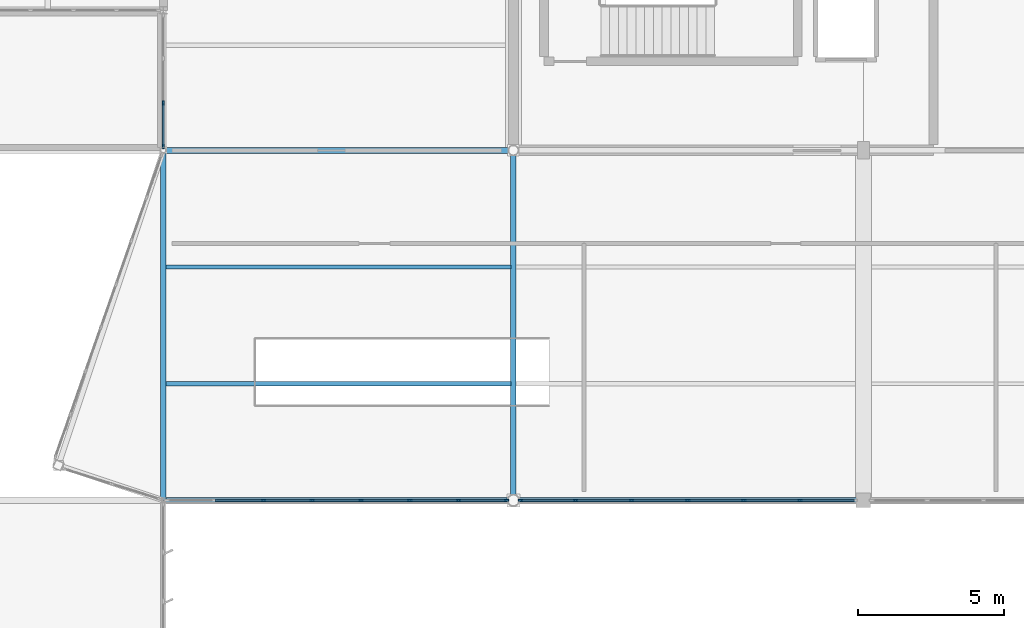
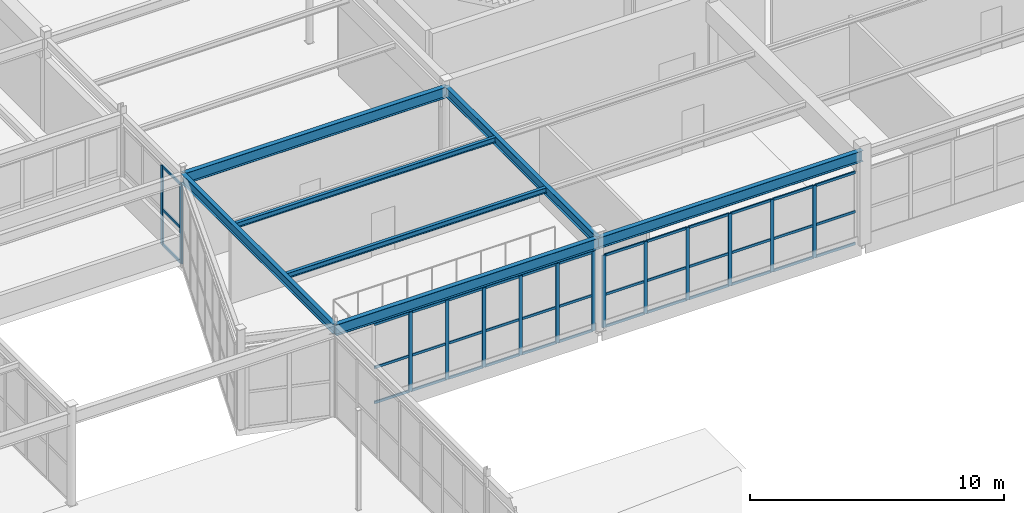
# One storey, part 122 of 226: 53 members, 7 beams, 3 elements without a shape of their own.
"""IFC4 building model written with IfcOpenShell, lengths in metres."""

from ifc_helpers import new_model, si_unit, direction, frame, origin, origin_2d, place, context, subcontext, project, spatial, rectangle, i_section, extrude, material, layer, layer_set, material_profile, profile_set, type_object, element, aggregate, save


model = new_model("IFC4")

# Units and contexts
model_context = context("Model", 3, precision=1e-05, world=origin(), true_north=direction((0.0, 1.0)))
body_context = subcontext(model_context, "Body", "Model", "MODEL_VIEW")
ifc_project = project(units=[si_unit("LENGTHUNIT", "METRE"), si_unit("AREAUNIT", "SQUARE_METRE"), si_unit("VOLUMEUNIT", "CUBIC_METRE"), si_unit("PLANEANGLEUNIT", "RADIAN"), si_unit("MASSUNIT", "GRAM", prefix="KILO")], contexts=[model_context])

# Site, building, storey
site_placement = place(None, origin())
site = spatial("IfcSite", under=ifc_project, at=site_placement, CompositionType="ELEMENT")
building_placement = place(site_placement, origin())
building = spatial("IfcBuilding", under=site, at=building_placement, Name="Tarnwether General Hospital", CompositionType="ELEMENT")
storey_placement = place(building_placement, frame((0.0, 0.0, 4.800048828125)))
storey = spatial("IfcBuildingStorey", under=building, at=storey_placement, Name="L01", CompositionType="ELEMENT", Elevation=4.800048828125)

# Beams
ifc_material_1 = material(Name="Steel Grade 350 (350 MPa)", Category="steel")
ifc_material_profile_1 = material_profile(ifc_material_1, i_section(OverallWidth=0.208984375, OverallDepth=0.532958984375, WebThickness=0.01025390625, FlangeThickness=0.015625, at=origin_2d()), Name="530UB92.4")
ifc_profile_set_1 = profile_set([ifc_material_profile_1], Name="Steel Grade 350 (350 MPa)")
beam_type_1 = type_object("IfcBeamType", Name="BM-G06", PredefinedType="BEAM", material=ifc_profile_set_1)
beam_1_placement = place(storey_placement, frame((144.0, 81.60009765625, 4.178466796875), z_axis=(1.0, 0.0, 0.0), x_axis=(0.0, 1.0, 0.0)))
element("IfcBeam", 1, at=beam_1_placement, inside=storey, type_object=beam_type_1, Name="Primary Girder BMG-L01-14400_8160-15600_8160-1222", PredefinedType="BEAM", context=body_context, shape_type="SweptSolid", body=[
    extrude(i_section(OverallWidth=0.208984375, OverallDepth=0.532958984375, WebThickness=0.01025390625, FlangeThickness=0.015625, at=origin_2d()), origin(), (0.0, 0.0, 1.0), 12.0),
])
ifc_material_2 = material(Name="Steel Grade 350 (350 MPa)", Category="steel")
ifc_material_profile_2 = material_profile(ifc_material_2, i_section(OverallWidth=0.208984375, OverallDepth=0.528076171875, WebThickness=0.009521484375, FlangeThickness=0.01318359375, at=origin_2d()), Name="530UB82.0")
ifc_profile_set_2 = profile_set([ifc_material_profile_2], Name="Steel Grade 350 (350 MPa)")
beam_type_2 = type_object("IfcBeamType", Name="BM-G07", PredefinedType="BEAM", material=ifc_profile_set_2)
for number, where, z_axis, x_axis, name in (
    (2, (144.0, 93.60009765625, 4.180908203125), (1.0, 0.0, 0.0), (0.0, 1.0, 0.0), "Primary Girder BMG-L01-14400_9360-15600_9360-1224"),
    (3, (156.0, 81.60009765625, 4.180908203125), (1.0, 0.0, 0.0), (0.0, 1.0, 0.0), "Primary Girder BMG-L01-15600_8160-16800_8160-1240"),
):
    element("IfcBeam", number, at=place(storey_placement, frame(where, z_axis=z_axis, x_axis=x_axis)), inside=storey, type_object=beam_type_2, Name=name, PredefinedType="BEAM", context=body_context, shape_type="SweptSolid", body=[
        extrude(i_section(OverallWidth=0.208984375, OverallDepth=0.528076171875, WebThickness=0.009521484375, FlangeThickness=0.01318359375, at=origin_2d()), origin(), (0.0, 0.0, 1.0), 12.0),
    ])
ifc_material_3 = material(Name="Steel Grade 350 (350 MPa)", Category="steel")
ifc_material_profile_3 = material_profile(ifc_material_3, i_section(OverallWidth=0.18994140625, OverallDepth=0.45703125, WebThickness=0.009033203125, FlangeThickness=0.014404296875, at=origin_2d()), Name="460UB74.6")
ifc_profile_set_3 = profile_set([ifc_material_profile_3], Name="Steel Grade 350 (350 MPa)")
beam_type_3 = type_object("IfcBeamType", Name="BM-G09", PredefinedType="BEAM", material=ifc_profile_set_3)
beam_2_placement = place(storey_placement, frame((144.0, 81.60009765625, 4.216552734375), z_axis=(0.0, 1.0, 0.0), x_axis=(-1.0, 0.0, 0.0)))
element("IfcBeam", 4, at=beam_2_placement, inside=storey, type_object=beam_type_3, Name="Primary Girder BMG-L01-14400_8160-14400_9360-1223", PredefinedType="BEAM", context=body_context, shape_type="SweptSolid", body=[
    extrude(i_section(OverallWidth=0.18994140625, OverallDepth=0.45703125, WebThickness=0.009033203125, FlangeThickness=0.014404296875, at=origin_2d()), origin(), (0.0, 0.0, 1.0), 12.0),
])
ifc_material_4 = material(Name="Steel Grade 350 (350 MPa)", Category="steel")
ifc_material_profile_4 = material_profile(ifc_material_4, i_section(OverallWidth=0.18994140625, OverallDepth=0.4541015625, WebThickness=0.008544921875, FlangeThickness=0.0126953125, at=origin_2d()), Name="460UB67.1")
ifc_profile_set_4 = profile_set([ifc_material_profile_4], Name="Steel Grade 350 (350 MPa)")
beam_type_4 = type_object("IfcBeamType", Name="BM-G10", PredefinedType="BEAM", material=ifc_profile_set_4)
beam_3_placement = place(storey_placement, frame((156.0, 81.60009765625, 4.218017578125), z_axis=(0.0, 1.0, 0.0), x_axis=(-1.0, 0.0, 0.0)))
element("IfcBeam", 5, at=beam_3_placement, inside=storey, type_object=beam_type_4, Name="Primary Girder BMG-L01-15600_8160-15600_9360-1241", PredefinedType="BEAM", context=body_context, shape_type="SweptSolid", body=[
    extrude(i_section(OverallWidth=0.18994140625, OverallDepth=0.4541015625, WebThickness=0.008544921875, FlangeThickness=0.0126953125, at=origin_2d()), origin(), (0.0, 0.0, 1.0), 12.0),
])
ifc_material_5 = material(Name="Steel Grade 350 (350 MPa)", Category="steel")
ifc_material_profile_5 = material_profile(ifc_material_5, i_section(OverallWidth=0.14599609375, OverallDepth=0.256103515625, WebThickness=0.00634765625, FlangeThickness=0.010986328125, at=origin_2d()), Name="250UB37.3")
ifc_profile_set_5 = profile_set([ifc_material_profile_5], Name="Steel Grade 350 (350 MPa)")
beam_type_5 = type_object("IfcBeamType", Name="BM-J09", PredefinedType="JOIST", material=ifc_profile_set_5)
beam_4_placement = place(storey_placement, frame((144.089111328125, 85.60009765625, 4.31689453125), z_axis=(1.0, 0.0, 0.0), x_axis=(0.0, 1.0, 0.0)))
element("IfcBeam", 6, at=beam_4_placement, inside=storey, type_object=beam_type_5, Name="Composite Floor Joist BMG-L01-14409_8560-15591_8560-1393", PredefinedType="JOIST", context=body_context, shape_type="SweptSolid", body=[
    extrude(i_section(OverallWidth=0.14599609375, OverallDepth=0.256103515625, WebThickness=0.00634765625, FlangeThickness=0.010986328125, at=origin_2d()), origin(), (0.0, 0.0, 1.0), 11.82177734375),
])
ifc_material_6 = material(Name="Steel Grade 350 (350 MPa)", Category="steel")
ifc_material_profile_6 = material_profile(ifc_material_6, i_section(OverallWidth=0.14599609375, OverallDepth=0.251953125, WebThickness=0.006103515625, FlangeThickness=0.008544921875, at=origin_2d()), Name="250UB31.4")
ifc_profile_set_6 = profile_set([ifc_material_profile_6], Name="Steel Grade 350 (350 MPa)")
beam_type_6 = type_object("IfcBeamType", Name="BM-J10", PredefinedType="JOIST", material=ifc_profile_set_6)
beam_5_placement = place(storey_placement, frame((144.089111328125, 89.60009765625, 4.31884765625), z_axis=(1.0, 0.0, 0.0), x_axis=(0.0, 1.0, 0.0)))
element("IfcBeam", 7, at=beam_5_placement, inside=storey, type_object=beam_type_6, Name="Composite Floor Joist BMG-L01-14409_8960-15591_8960-1394", PredefinedType="JOIST", context=body_context, shape_type="SweptSolid", body=[
    extrude(i_section(OverallWidth=0.14599609375, OverallDepth=0.251953125, WebThickness=0.006103515625, FlangeThickness=0.008544921875, at=origin_2d()), origin(), (0.0, 0.0, 1.0), 11.82177734375),
])

# Curtain wall, members
ifc_material_7 = material(Name="Anodised aluminium", Category="aluminium")
ifc_layer_1 = layer(ifc_material_7, 0.159912109375)
ifc_layer_set_1 = layer_set([ifc_layer_1], Name="Anodised aluminium")
curtain_wall_type_1 = type_object("IfcCurtainWallType", Name="CW-15", PredefinedType="NOTDEFINED", material=ifc_layer_set_1)
curtain_wall_1_placement = place(storey_placement, origin())
curtain_wall_1 = element("IfcCurtainWall", 8, at=curtain_wall_1_placement, inside=storey, type_object=curtain_wall_type_1, Name="Curtain Wall CWG-L01-1440_937-0374", PredefinedType="NOTDEFINED")
ifc_material_8 = material(Name="Anodised aluminium", Category="aluminium")
ifc_material_profile_7 = material_profile(ifc_material_8, rectangle(XDim=0.06005859375, YDim=0.159912109375, at=origin_2d()), Name="ALU-MUL-60x160")
ifc_profile_set_7 = profile_set([ifc_material_profile_7], Name="Anodised aluminium")
member_type_1 = type_object("IfcMemberType", Name="CW-ML1", PredefinedType="MULLION", material=ifc_profile_set_7)
member_1_placement = place(storey_placement, frame((144.0, 93.735107421875, 0.0), z_axis=(0.0, 0.0, 1.0), x_axis=(-1.0, 0.0, 0.0)))
member_1 = element("IfcMember", 9, at=member_1_placement, type_object=member_type_1, Name="CW-15 mullion 1", PredefinedType="MULLION", context=body_context, shape_type="SweptSolid", body=[
    extrude(rectangle(XDim=0.06005859375, YDim=0.159912109375, at=origin_2d()), origin(), (0.0, 0.0, 1.0), 3.81787109375),
])
member_2_placement = place(storey_placement, frame((144.0, 95.22509765625, 0.0), z_axis=(0.0, 0.0, 1.0), x_axis=(-1.0, 0.0, 0.0)))
member_2 = element("IfcMember", 10, at=member_2_placement, type_object=member_type_1, Name="CW-15 mullion 2", PredefinedType="MULLION", context=body_context, shape_type="SweptSolid", body=[
    extrude(rectangle(XDim=0.06005859375, YDim=0.159912109375, at=origin_2d()), origin(), (0.0, 0.0, 1.0), 3.81787109375),
])

ifc_material_9 = material(Name="Anodised aluminium", Category="aluminium")
ifc_layer_2 = layer(ifc_material_9, 0.159912109375)
ifc_layer_set_2 = layer_set([ifc_layer_2], Name="Anodised aluminium")
curtain_wall_type_2 = type_object("IfcCurtainWallType", Name="CW-17", PredefinedType="NOTDEFINED", material=ifc_layer_set_2)
curtain_wall_2_placement = place(storey_placement, origin())
curtain_wall_2 = element("IfcCurtainWall", 11, at=curtain_wall_2_placement, inside=storey, type_object=curtain_wall_type_2, Name="Curtain Wall CWG-L01-1677_816-0395", PredefinedType="NOTDEFINED")
member_3_placement = place(storey_placement, frame((165.820068359375, 81.60009765625, 0.0), z_axis=(0.0, 0.0, 1.0), x_axis=(0.0, -1.0, 0.0)))
member_3 = element("IfcMember", 12, at=member_3_placement, type_object=member_type_1, Name="CW-17 mullion 2", PredefinedType="MULLION", context=body_context, shape_type="SweptSolid", body=[
    extrude(rectangle(XDim=0.06005859375, YDim=0.159912109375, at=origin_2d()), origin(), (0.0, 0.0, 1.0), 3.47998046875),
])
member_4_placement = place(storey_placement, frame((163.8984375, 81.60009765625, 0.0), z_axis=(0.0, 0.0, 1.0), x_axis=(0.0, -1.0, 0.0)))
member_4 = element("IfcMember", 13, at=member_4_placement, type_object=member_type_1, Name="CW-17 mullion 3", PredefinedType="MULLION", context=body_context, shape_type="SweptSolid", body=[
    extrude(rectangle(XDim=0.06005859375, YDim=0.159912109375, at=origin_2d()), origin(), (0.0, 0.0, 1.0), 3.47998046875),
])
member_5_placement = place(storey_placement, frame((161.9765625, 81.60009765625, 0.0), z_axis=(0.0, 0.0, 1.0), x_axis=(0.0, -1.0, 0.0)))
member_5 = element("IfcMember", 14, at=member_5_placement, type_object=member_type_1, Name="CW-17 mullion 4", PredefinedType="MULLION", context=body_context, shape_type="SweptSolid", body=[
    extrude(rectangle(XDim=0.06005859375, YDim=0.159912109375, at=origin_2d()), origin(), (0.0, 0.0, 1.0), 3.47998046875),
])
member_6_placement = place(storey_placement, frame((160.0546875, 81.60009765625, 0.0), z_axis=(0.0, 0.0, 1.0), x_axis=(0.0, -1.0, 0.0)))
member_6 = element("IfcMember", 15, at=member_6_placement, type_object=member_type_1, Name="CW-17 mullion 5", PredefinedType="MULLION", context=body_context, shape_type="SweptSolid", body=[
    extrude(rectangle(XDim=0.06005859375, YDim=0.159912109375, at=origin_2d()), origin(), (0.0, 0.0, 1.0), 3.47998046875),
])
member_7_placement = place(storey_placement, frame((158.1328125, 81.60009765625, 0.0), z_axis=(0.0, 0.0, 1.0), x_axis=(0.0, -1.0, 0.0)))
member_7 = element("IfcMember", 16, at=member_7_placement, type_object=member_type_1, Name="CW-17 mullion 6", PredefinedType="MULLION", context=body_context, shape_type="SweptSolid", body=[
    extrude(rectangle(XDim=0.06005859375, YDim=0.159912109375, at=origin_2d()), origin(), (0.0, 0.0, 1.0), 3.47998046875),
])
member_8_placement = place(storey_placement, frame((156.240966796875, 81.60009765625, 0.0), z_axis=(0.0, 0.0, 1.0), x_axis=(0.0, -1.0, 0.0)))
member_8 = element("IfcMember", 17, at=member_8_placement, type_object=member_type_1, Name="CW-17 mullion 7", PredefinedType="MULLION", context=body_context, shape_type="SweptSolid", body=[
    extrude(rectangle(XDim=0.06005859375, YDim=0.159912109375, at=origin_2d()), origin(), (0.0, 0.0, 1.0), 3.47998046875),
])

curtain_wall_3_placement = place(storey_placement, origin())
curtain_wall_3 = element("IfcCurtainWall", 18, at=curtain_wall_3_placement, inside=storey, type_object=curtain_wall_type_2, Name="Curtain Wall CWG-L01-1558_816-0396", PredefinedType="NOTDEFINED")
member_9_placement = place(storey_placement, frame((155.759033203125, 81.60009765625, 0.0), z_axis=(0.0, 0.0, 1.0), x_axis=(0.0, -1.0, 0.0)))
member_9 = element("IfcMember", 19, at=member_9_placement, type_object=member_type_1, Name="CW-17 mullion 1", PredefinedType="MULLION", context=body_context, shape_type="SweptSolid", body=[
    extrude(rectangle(XDim=0.06005859375, YDim=0.159912109375, at=origin_2d()), origin(), (0.0, 0.0, 1.0), 3.827880859375),
])
member_10_placement = place(storey_placement, frame((154.116943359375, 81.60009765625, 0.0), z_axis=(0.0, 0.0, 1.0), x_axis=(0.0, -1.0, 0.0)))
member_10 = element("IfcMember", 20, at=member_10_placement, type_object=member_type_1, Name="CW-17 mullion 2", PredefinedType="MULLION", context=body_context, shape_type="SweptSolid", body=[
    extrude(rectangle(XDim=0.06005859375, YDim=0.159912109375, at=origin_2d()), origin(), (0.0, 0.0, 1.0), 3.827880859375),
])
member_11_placement = place(storey_placement, frame((152.445068359375, 81.60009765625, 0.0), z_axis=(0.0, 0.0, 1.0), x_axis=(0.0, -1.0, 0.0)))
member_11 = element("IfcMember", 21, at=member_11_placement, type_object=member_type_1, Name="CW-17 mullion 3", PredefinedType="MULLION", context=body_context, shape_type="SweptSolid", body=[
    extrude(rectangle(XDim=0.06005859375, YDim=0.159912109375, at=origin_2d()), origin(), (0.0, 0.0, 1.0), 3.827880859375),
])
member_12_placement = place(storey_placement, frame((150.77294921875, 81.60009765625, 0.0), z_axis=(0.0, 0.0, 1.0), x_axis=(0.0, -1.0, 0.0)))
member_12 = element("IfcMember", 22, at=member_12_placement, type_object=member_type_1, Name="CW-17 mullion 4", PredefinedType="MULLION", context=body_context, shape_type="SweptSolid", body=[
    extrude(rectangle(XDim=0.06005859375, YDim=0.159912109375, at=origin_2d()), origin(), (0.0, 0.0, 1.0), 3.827880859375),
])
member_13_placement = place(storey_placement, frame((149.10107421875, 81.60009765625, 0.0), z_axis=(0.0, 0.0, 1.0), x_axis=(0.0, -1.0, 0.0)))
member_13 = element("IfcMember", 23, at=member_13_placement, type_object=member_type_1, Name="CW-17 mullion 5", PredefinedType="MULLION", context=body_context, shape_type="SweptSolid", body=[
    extrude(rectangle(XDim=0.06005859375, YDim=0.159912109375, at=origin_2d()), origin(), (0.0, 0.0, 1.0), 3.827880859375),
])
member_14_placement = place(storey_placement, frame((147.428955078125, 81.60009765625, 0.0), z_axis=(0.0, 0.0, 1.0), x_axis=(0.0, -1.0, 0.0)))
member_14 = element("IfcMember", 24, at=member_14_placement, type_object=member_type_1, Name="CW-17 mullion 6", PredefinedType="MULLION", context=body_context, shape_type="SweptSolid", body=[
    extrude(rectangle(XDim=0.06005859375, YDim=0.159912109375, at=origin_2d()), origin(), (0.0, 0.0, 1.0), 3.827880859375),
])

# Member
ifc_material_10 = material(Name="Anodised aluminium", Category="aluminium")
ifc_material_profile_8 = material_profile(ifc_material_10, rectangle(XDim=0.06005859375, YDim=0.1201171875, at=origin_2d()), Name="ALU-TRN-60x120")
ifc_profile_set_8 = profile_set([ifc_material_profile_8], Name="Anodised aluminium")
member_type_2 = type_object("IfcMemberType", Name="CW-TR1", PredefinedType="USERDEFINED", material=ifc_profile_set_8)
member_15_placement = place(storey_placement, frame((144.0, 93.764892578125, 0.030029296875), z_axis=(0.0, 1.0, 0.0), x_axis=(-1.0, 0.0, 0.0)))
member_15 = element("IfcMember", 25, at=member_15_placement, type_object=member_type_2, Name="CW-15 transom 1.1", ObjectType="TRANSOM", PredefinedType="USERDEFINED", context=body_context, shape_type="SweptSolid", body=[
    extrude(rectangle(XDim=0.06005859375, YDim=0.1201171875, at=origin_2d()), origin(), (0.0, 0.0, 1.0), 1.43017578125),
])

member_16_placement = place(storey_placement, frame((144.0, 93.764892578125, 1.718017578125), z_axis=(0.0, 1.0, 0.0), x_axis=(-1.0, 0.0, 0.0)))
member_16 = element("IfcMember", 26, at=member_16_placement, type_object=member_type_2, Name="CW-15 transom 1.2", ObjectType="TRANSOM", PredefinedType="USERDEFINED", context=body_context, shape_type="SweptSolid", body=[
    extrude(rectangle(XDim=0.06005859375, YDim=0.1201171875, at=origin_2d()), origin(), (0.0, 0.0, 1.0), 1.43017578125),
])

member_17_placement = place(storey_placement, frame((144.0, 93.764892578125, 3.787841796875), z_axis=(0.0, 1.0, 0.0), x_axis=(-1.0, 0.0, 0.0)))
member_17 = element("IfcMember", 27, at=member_17_placement, type_object=member_type_2, Name="CW-15 transom 1.3", ObjectType="TRANSOM", PredefinedType="USERDEFINED", context=body_context, shape_type="SweptSolid", body=[
    extrude(rectangle(XDim=0.06005859375, YDim=0.1201171875, at=origin_2d()), origin(), (0.0, 0.0, 1.0), 1.43017578125),
])

aggregate(curtain_wall_1, [member_1, member_2, member_15, member_16, member_17])

member_18_placement = place(storey_placement, frame((167.681884765625, 81.60009765625, 0.030029296875), z_axis=(-1.0, 0.0, 0.0), x_axis=(0.0, -1.0, 0.0)))
member_18 = element("IfcMember", 28, at=member_18_placement, type_object=member_type_2, Name="CW-17 transom 1.1", ObjectType="TRANSOM", PredefinedType="USERDEFINED", context=body_context, shape_type="SweptSolid", body=[
    extrude(rectangle(XDim=0.06005859375, YDim=0.1201171875, at=origin_2d()), origin(), (0.0, 0.0, 1.0), 1.831787109375),
])

member_19_placement = place(storey_placement, frame((167.681884765625, 81.60009765625, 1.56591796875), z_axis=(-1.0, 0.0, 0.0), x_axis=(0.0, -1.0, 0.0)))
member_19 = element("IfcMember", 29, at=member_19_placement, type_object=member_type_2, Name="CW-17 transom 1.2", ObjectType="TRANSOM", PredefinedType="USERDEFINED", context=body_context, shape_type="SweptSolid", body=[
    extrude(rectangle(XDim=0.06005859375, YDim=0.1201171875, at=origin_2d()), origin(), (0.0, 0.0, 1.0), 1.831787109375),
])

member_20_placement = place(storey_placement, frame((167.681884765625, 81.60009765625, 3.449951171875), z_axis=(-1.0, 0.0, 0.0), x_axis=(0.0, -1.0, 0.0)))
member_20 = element("IfcMember", 30, at=member_20_placement, type_object=member_type_2, Name="CW-17 transom 1.3", ObjectType="TRANSOM", PredefinedType="USERDEFINED", context=body_context, shape_type="SweptSolid", body=[
    extrude(rectangle(XDim=0.06005859375, YDim=0.1201171875, at=origin_2d()), origin(), (0.0, 0.0, 1.0), 1.831787109375),
])

member_21_placement = place(storey_placement, frame((165.790283203125, 81.60009765625, 0.030029296875), z_axis=(-1.0, 0.0, 0.0), x_axis=(0.0, -1.0, 0.0)))
member_21 = element("IfcMember", 31, at=member_21_placement, type_object=member_type_2, Name="CW-17 transom 2.1", ObjectType="TRANSOM", PredefinedType="USERDEFINED", context=body_context, shape_type="SweptSolid", body=[
    extrude(rectangle(XDim=0.06005859375, YDim=0.1201171875, at=origin_2d()), origin(), (0.0, 0.0, 1.0), 1.862060546875),
])

member_22_placement = place(storey_placement, frame((165.790283203125, 81.60009765625, 1.56591796875), z_axis=(-1.0, 0.0, 0.0), x_axis=(0.0, -1.0, 0.0)))
member_22 = element("IfcMember", 32, at=member_22_placement, type_object=member_type_2, Name="CW-17 transom 2.2", ObjectType="TRANSOM", PredefinedType="USERDEFINED", context=body_context, shape_type="SweptSolid", body=[
    extrude(rectangle(XDim=0.06005859375, YDim=0.1201171875, at=origin_2d()), origin(), (0.0, 0.0, 1.0), 1.862060546875),
])

member_23_placement = place(storey_placement, frame((165.790283203125, 81.60009765625, 3.449951171875), z_axis=(-1.0, 0.0, 0.0), x_axis=(0.0, -1.0, 0.0)))
member_23 = element("IfcMember", 33, at=member_23_placement, type_object=member_type_2, Name="CW-17 transom 2.3", ObjectType="TRANSOM", PredefinedType="USERDEFINED", context=body_context, shape_type="SweptSolid", body=[
    extrude(rectangle(XDim=0.06005859375, YDim=0.1201171875, at=origin_2d()), origin(), (0.0, 0.0, 1.0), 1.862060546875),
])

member_24_placement = place(storey_placement, frame((163.868408203125, 81.60009765625, 0.030029296875), z_axis=(-1.0, 0.0, 0.0), x_axis=(0.0, -1.0, 0.0)))
member_24 = element("IfcMember", 34, at=member_24_placement, type_object=member_type_2, Name="CW-17 transom 3.1", ObjectType="TRANSOM", PredefinedType="USERDEFINED", context=body_context, shape_type="SweptSolid", body=[
    extrude(rectangle(XDim=0.06005859375, YDim=0.1201171875, at=origin_2d()), origin(), (0.0, 0.0, 1.0), 1.86181640625),
])

member_25_placement = place(storey_placement, frame((163.868408203125, 81.60009765625, 1.56591796875), z_axis=(-1.0, 0.0, 0.0), x_axis=(0.0, -1.0, 0.0)))
member_25 = element("IfcMember", 35, at=member_25_placement, type_object=member_type_2, Name="CW-17 transom 3.2", ObjectType="TRANSOM", PredefinedType="USERDEFINED", context=body_context, shape_type="SweptSolid", body=[
    extrude(rectangle(XDim=0.06005859375, YDim=0.1201171875, at=origin_2d()), origin(), (0.0, 0.0, 1.0), 1.86181640625),
])

member_26_placement = place(storey_placement, frame((163.868408203125, 81.60009765625, 3.449951171875), z_axis=(-1.0, 0.0, 0.0), x_axis=(0.0, -1.0, 0.0)))
member_26 = element("IfcMember", 36, at=member_26_placement, type_object=member_type_2, Name="CW-17 transom 3.3", ObjectType="TRANSOM", PredefinedType="USERDEFINED", context=body_context, shape_type="SweptSolid", body=[
    extrude(rectangle(XDim=0.06005859375, YDim=0.1201171875, at=origin_2d()), origin(), (0.0, 0.0, 1.0), 1.86181640625),
])

member_27_placement = place(storey_placement, frame((161.946533203125, 81.60009765625, 0.030029296875), z_axis=(-1.0, 0.0, 0.0), x_axis=(0.0, -1.0, 0.0)))
member_27 = element("IfcMember", 37, at=member_27_placement, type_object=member_type_2, Name="CW-17 transom 4.1", ObjectType="TRANSOM", PredefinedType="USERDEFINED", context=body_context, shape_type="SweptSolid", body=[
    extrude(rectangle(XDim=0.06005859375, YDim=0.1201171875, at=origin_2d()), origin(), (0.0, 0.0, 1.0), 1.86181640625),
])

member_28_placement = place(storey_placement, frame((161.946533203125, 81.60009765625, 1.56591796875), z_axis=(-1.0, 0.0, 0.0), x_axis=(0.0, -1.0, 0.0)))
member_28 = element("IfcMember", 38, at=member_28_placement, type_object=member_type_2, Name="CW-17 transom 4.2", ObjectType="TRANSOM", PredefinedType="USERDEFINED", context=body_context, shape_type="SweptSolid", body=[
    extrude(rectangle(XDim=0.06005859375, YDim=0.1201171875, at=origin_2d()), origin(), (0.0, 0.0, 1.0), 1.86181640625),
])

member_29_placement = place(storey_placement, frame((161.946533203125, 81.60009765625, 3.449951171875), z_axis=(-1.0, 0.0, 0.0), x_axis=(0.0, -1.0, 0.0)))
member_29 = element("IfcMember", 39, at=member_29_placement, type_object=member_type_2, Name="CW-17 transom 4.3", ObjectType="TRANSOM", PredefinedType="USERDEFINED", context=body_context, shape_type="SweptSolid", body=[
    extrude(rectangle(XDim=0.06005859375, YDim=0.1201171875, at=origin_2d()), origin(), (0.0, 0.0, 1.0), 1.86181640625),
])

member_30_placement = place(storey_placement, frame((160.024658203125, 81.60009765625, 0.030029296875), z_axis=(-1.0, 0.0, 0.0), x_axis=(0.0, -1.0, 0.0)))
member_30 = element("IfcMember", 40, at=member_30_placement, type_object=member_type_2, Name="CW-17 transom 5.1", ObjectType="TRANSOM", PredefinedType="USERDEFINED", context=body_context, shape_type="SweptSolid", body=[
    extrude(rectangle(XDim=0.06005859375, YDim=0.1201171875, at=origin_2d()), origin(), (0.0, 0.0, 1.0), 1.86181640625),
])

member_31_placement = place(storey_placement, frame((160.024658203125, 81.60009765625, 1.56591796875), z_axis=(-1.0, 0.0, 0.0), x_axis=(0.0, -1.0, 0.0)))
member_31 = element("IfcMember", 41, at=member_31_placement, type_object=member_type_2, Name="CW-17 transom 5.2", ObjectType="TRANSOM", PredefinedType="USERDEFINED", context=body_context, shape_type="SweptSolid", body=[
    extrude(rectangle(XDim=0.06005859375, YDim=0.1201171875, at=origin_2d()), origin(), (0.0, 0.0, 1.0), 1.86181640625),
])

member_32_placement = place(storey_placement, frame((160.024658203125, 81.60009765625, 3.449951171875), z_axis=(-1.0, 0.0, 0.0), x_axis=(0.0, -1.0, 0.0)))
member_32 = element("IfcMember", 42, at=member_32_placement, type_object=member_type_2, Name="CW-17 transom 5.3", ObjectType="TRANSOM", PredefinedType="USERDEFINED", context=body_context, shape_type="SweptSolid", body=[
    extrude(rectangle(XDim=0.06005859375, YDim=0.1201171875, at=origin_2d()), origin(), (0.0, 0.0, 1.0), 1.86181640625),
])

member_33_placement = place(storey_placement, frame((158.102783203125, 81.60009765625, 0.030029296875), z_axis=(-1.0, 0.0, 0.0), x_axis=(0.0, -1.0, 0.0)))
member_33 = element("IfcMember", 43, at=member_33_placement, type_object=member_type_2, Name="CW-17 transom 6.1", ObjectType="TRANSOM", PredefinedType="USERDEFINED", context=body_context, shape_type="SweptSolid", body=[
    extrude(rectangle(XDim=0.06005859375, YDim=0.1201171875, at=origin_2d()), origin(), (0.0, 0.0, 1.0), 1.831787109375),
])

member_34_placement = place(storey_placement, frame((158.102783203125, 81.60009765625, 1.56591796875), z_axis=(-1.0, 0.0, 0.0), x_axis=(0.0, -1.0, 0.0)))
member_34 = element("IfcMember", 44, at=member_34_placement, type_object=member_type_2, Name="CW-17 transom 6.2", ObjectType="TRANSOM", PredefinedType="USERDEFINED", context=body_context, shape_type="SweptSolid", body=[
    extrude(rectangle(XDim=0.06005859375, YDim=0.1201171875, at=origin_2d()), origin(), (0.0, 0.0, 1.0), 1.831787109375),
])

member_35_placement = place(storey_placement, frame((158.102783203125, 81.60009765625, 3.449951171875), z_axis=(-1.0, 0.0, 0.0), x_axis=(0.0, -1.0, 0.0)))
member_35 = element("IfcMember", 45, at=member_35_placement, type_object=member_type_2, Name="CW-17 transom 6.3", ObjectType="TRANSOM", PredefinedType="USERDEFINED", context=body_context, shape_type="SweptSolid", body=[
    extrude(rectangle(XDim=0.06005859375, YDim=0.1201171875, at=origin_2d()), origin(), (0.0, 0.0, 1.0), 1.831787109375),
])

aggregate(curtain_wall_2, [member_3, member_4, member_5, member_6, member_7, member_8, member_18, member_19, member_20, member_21, member_22, member_23, member_24, member_25, member_26, member_27, member_28, member_29, member_30, member_31, member_32, member_33, member_34, member_35])

member_36_placement = place(storey_placement, frame((155.72900390625, 81.60009765625, 0.030029296875), z_axis=(-1.0, 0.0, 0.0), x_axis=(0.0, -1.0, 0.0)))
member_36 = element("IfcMember", 46, at=member_36_placement, type_object=member_type_2, Name="CW-17 transom 1.1", ObjectType="TRANSOM", PredefinedType="USERDEFINED", context=body_context, shape_type="SweptSolid", body=[
    extrude(rectangle(XDim=0.06005859375, YDim=0.1201171875, at=origin_2d()), origin(), (0.0, 0.0, 1.0), 1.58203125),
])

member_37_placement = place(storey_placement, frame((155.72900390625, 81.60009765625, 1.72265625), z_axis=(-1.0, 0.0, 0.0), x_axis=(0.0, -1.0, 0.0)))
member_37 = element("IfcMember", 47, at=member_37_placement, type_object=member_type_2, Name="CW-17 transom 1.2", ObjectType="TRANSOM", PredefinedType="USERDEFINED", context=body_context, shape_type="SweptSolid", body=[
    extrude(rectangle(XDim=0.06005859375, YDim=0.1201171875, at=origin_2d()), origin(), (0.0, 0.0, 1.0), 1.58203125),
])

member_38_placement = place(storey_placement, frame((155.72900390625, 81.60009765625, 3.7978515625), z_axis=(-1.0, 0.0, 0.0), x_axis=(0.0, -1.0, 0.0)))
member_38 = element("IfcMember", 48, at=member_38_placement, type_object=member_type_2, Name="CW-17 transom 1.3", ObjectType="TRANSOM", PredefinedType="USERDEFINED", context=body_context, shape_type="SweptSolid", body=[
    extrude(rectangle(XDim=0.06005859375, YDim=0.1201171875, at=origin_2d()), origin(), (0.0, 0.0, 1.0), 1.58203125),
])

member_39_placement = place(storey_placement, frame((154.0869140625, 81.60009765625, 0.030029296875), z_axis=(-1.0, 0.0, 0.0), x_axis=(0.0, -1.0, 0.0)))
member_39 = element("IfcMember", 49, at=member_39_placement, type_object=member_type_2, Name="CW-17 transom 2.1", ObjectType="TRANSOM", PredefinedType="USERDEFINED", context=body_context, shape_type="SweptSolid", body=[
    extrude(rectangle(XDim=0.06005859375, YDim=0.1201171875, at=origin_2d()), origin(), (0.0, 0.0, 1.0), 1.61181640625),
])

member_40_placement = place(storey_placement, frame((154.0869140625, 81.60009765625, 1.72265625), z_axis=(-1.0, 0.0, 0.0), x_axis=(0.0, -1.0, 0.0)))
member_40 = element("IfcMember", 50, at=member_40_placement, type_object=member_type_2, Name="CW-17 transom 2.2", ObjectType="TRANSOM", PredefinedType="USERDEFINED", context=body_context, shape_type="SweptSolid", body=[
    extrude(rectangle(XDim=0.06005859375, YDim=0.1201171875, at=origin_2d()), origin(), (0.0, 0.0, 1.0), 1.61181640625),
])

member_41_placement = place(storey_placement, frame((154.0869140625, 81.60009765625, 3.7978515625), z_axis=(-1.0, 0.0, 0.0), x_axis=(0.0, -1.0, 0.0)))
member_41 = element("IfcMember", 51, at=member_41_placement, type_object=member_type_2, Name="CW-17 transom 2.3", ObjectType="TRANSOM", PredefinedType="USERDEFINED", context=body_context, shape_type="SweptSolid", body=[
    extrude(rectangle(XDim=0.06005859375, YDim=0.1201171875, at=origin_2d()), origin(), (0.0, 0.0, 1.0), 1.61181640625),
])

member_42_placement = place(storey_placement, frame((152.4150390625, 81.60009765625, 0.030029296875), z_axis=(-1.0, 0.0, 0.0), x_axis=(0.0, -1.0, 0.0)))
member_42 = element("IfcMember", 52, at=member_42_placement, type_object=member_type_2, Name="CW-17 transom 3.1", ObjectType="TRANSOM", PredefinedType="USERDEFINED", context=body_context, shape_type="SweptSolid", body=[
    extrude(rectangle(XDim=0.06005859375, YDim=0.1201171875, at=origin_2d()), origin(), (0.0, 0.0, 1.0), 1.612060546875),
])

member_43_placement = place(storey_placement, frame((152.4150390625, 81.60009765625, 1.72265625), z_axis=(-1.0, 0.0, 0.0), x_axis=(0.0, -1.0, 0.0)))
member_43 = element("IfcMember", 53, at=member_43_placement, type_object=member_type_2, Name="CW-17 transom 3.2", ObjectType="TRANSOM", PredefinedType="USERDEFINED", context=body_context, shape_type="SweptSolid", body=[
    extrude(rectangle(XDim=0.06005859375, YDim=0.1201171875, at=origin_2d()), origin(), (0.0, 0.0, 1.0), 1.612060546875),
])

member_44_placement = place(storey_placement, frame((152.4150390625, 81.60009765625, 3.7978515625), z_axis=(-1.0, 0.0, 0.0), x_axis=(0.0, -1.0, 0.0)))
member_44 = element("IfcMember", 54, at=member_44_placement, type_object=member_type_2, Name="CW-17 transom 3.3", ObjectType="TRANSOM", PredefinedType="USERDEFINED", context=body_context, shape_type="SweptSolid", body=[
    extrude(rectangle(XDim=0.06005859375, YDim=0.1201171875, at=origin_2d()), origin(), (0.0, 0.0, 1.0), 1.612060546875),
])

member_45_placement = place(storey_placement, frame((150.742919921875, 81.60009765625, 0.030029296875), z_axis=(-1.0, 0.0, 0.0), x_axis=(0.0, -1.0, 0.0)))
member_45 = element("IfcMember", 55, at=member_45_placement, type_object=member_type_2, Name="CW-17 transom 4.1", ObjectType="TRANSOM", PredefinedType="USERDEFINED", context=body_context, shape_type="SweptSolid", body=[
    extrude(rectangle(XDim=0.06005859375, YDim=0.1201171875, at=origin_2d()), origin(), (0.0, 0.0, 1.0), 1.61181640625),
])

member_46_placement = place(storey_placement, frame((150.742919921875, 81.60009765625, 1.72265625), z_axis=(-1.0, 0.0, 0.0), x_axis=(0.0, -1.0, 0.0)))
member_46 = element("IfcMember", 56, at=member_46_placement, type_object=member_type_2, Name="CW-17 transom 4.2", ObjectType="TRANSOM", PredefinedType="USERDEFINED", context=body_context, shape_type="SweptSolid", body=[
    extrude(rectangle(XDim=0.06005859375, YDim=0.1201171875, at=origin_2d()), origin(), (0.0, 0.0, 1.0), 1.61181640625),
])

member_47_placement = place(storey_placement, frame((150.742919921875, 81.60009765625, 3.7978515625), z_axis=(-1.0, 0.0, 0.0), x_axis=(0.0, -1.0, 0.0)))
member_47 = element("IfcMember", 57, at=member_47_placement, type_object=member_type_2, Name="CW-17 transom 4.3", ObjectType="TRANSOM", PredefinedType="USERDEFINED", context=body_context, shape_type="SweptSolid", body=[
    extrude(rectangle(XDim=0.06005859375, YDim=0.1201171875, at=origin_2d()), origin(), (0.0, 0.0, 1.0), 1.61181640625),
])

member_48_placement = place(storey_placement, frame((149.071044921875, 81.60009765625, 0.030029296875), z_axis=(-1.0, 0.0, 0.0), x_axis=(0.0, -1.0, 0.0)))
member_48 = element("IfcMember", 58, at=member_48_placement, type_object=member_type_2, Name="CW-17 transom 5.1", ObjectType="TRANSOM", PredefinedType="USERDEFINED", context=body_context, shape_type="SweptSolid", body=[
    extrude(rectangle(XDim=0.06005859375, YDim=0.1201171875, at=origin_2d()), origin(), (0.0, 0.0, 1.0), 1.612060546875),
])

member_49_placement = place(storey_placement, frame((149.071044921875, 81.60009765625, 1.72265625), z_axis=(-1.0, 0.0, 0.0), x_axis=(0.0, -1.0, 0.0)))
member_49 = element("IfcMember", 59, at=member_49_placement, type_object=member_type_2, Name="CW-17 transom 5.2", ObjectType="TRANSOM", PredefinedType="USERDEFINED", context=body_context, shape_type="SweptSolid", body=[
    extrude(rectangle(XDim=0.06005859375, YDim=0.1201171875, at=origin_2d()), origin(), (0.0, 0.0, 1.0), 1.612060546875),
])

member_50_placement = place(storey_placement, frame((149.071044921875, 81.60009765625, 3.7978515625), z_axis=(-1.0, 0.0, 0.0), x_axis=(0.0, -1.0, 0.0)))
member_50 = element("IfcMember", 60, at=member_50_placement, type_object=member_type_2, Name="CW-17 transom 5.3", ObjectType="TRANSOM", PredefinedType="USERDEFINED", context=body_context, shape_type="SweptSolid", body=[
    extrude(rectangle(XDim=0.06005859375, YDim=0.1201171875, at=origin_2d()), origin(), (0.0, 0.0, 1.0), 1.612060546875),
])

member_51_placement = place(storey_placement, frame((147.39892578125, 81.60009765625, 0.030029296875), z_axis=(-1.0, 0.0, 0.0), x_axis=(0.0, -1.0, 0.0)))
member_51 = element("IfcMember", 61, at=member_51_placement, type_object=member_type_2, Name="CW-17 transom 6.1", ObjectType="TRANSOM", PredefinedType="USERDEFINED", context=body_context, shape_type="SweptSolid", body=[
    extrude(rectangle(XDim=0.06005859375, YDim=0.1201171875, at=origin_2d()), origin(), (0.0, 0.0, 1.0), 1.61181640625),
])

member_52_placement = place(storey_placement, frame((147.39892578125, 81.60009765625, 1.72265625), z_axis=(-1.0, 0.0, 0.0), x_axis=(0.0, -1.0, 0.0)))
member_52 = element("IfcMember", 62, at=member_52_placement, type_object=member_type_2, Name="CW-17 transom 6.2", ObjectType="TRANSOM", PredefinedType="USERDEFINED", context=body_context, shape_type="SweptSolid", body=[
    extrude(rectangle(XDim=0.06005859375, YDim=0.1201171875, at=origin_2d()), origin(), (0.0, 0.0, 1.0), 1.61181640625),
])

member_53_placement = place(storey_placement, frame((147.39892578125, 81.60009765625, 3.7978515625), z_axis=(-1.0, 0.0, 0.0), x_axis=(0.0, -1.0, 0.0)))
member_53 = element("IfcMember", 63, at=member_53_placement, type_object=member_type_2, Name="CW-17 transom 6.3", ObjectType="TRANSOM", PredefinedType="USERDEFINED", context=body_context, shape_type="SweptSolid", body=[
    extrude(rectangle(XDim=0.06005859375, YDim=0.1201171875, at=origin_2d()), origin(), (0.0, 0.0, 1.0), 1.61181640625),
])

aggregate(curtain_wall_3, [member_9, member_10, member_11, member_12, member_13, member_14, member_36, member_37, member_38, member_39, member_40, member_41, member_42, member_43, member_44, member_45, member_46, member_47, member_48, member_49, member_50, member_51, member_52, member_53])

save(model, "model.ifc")
